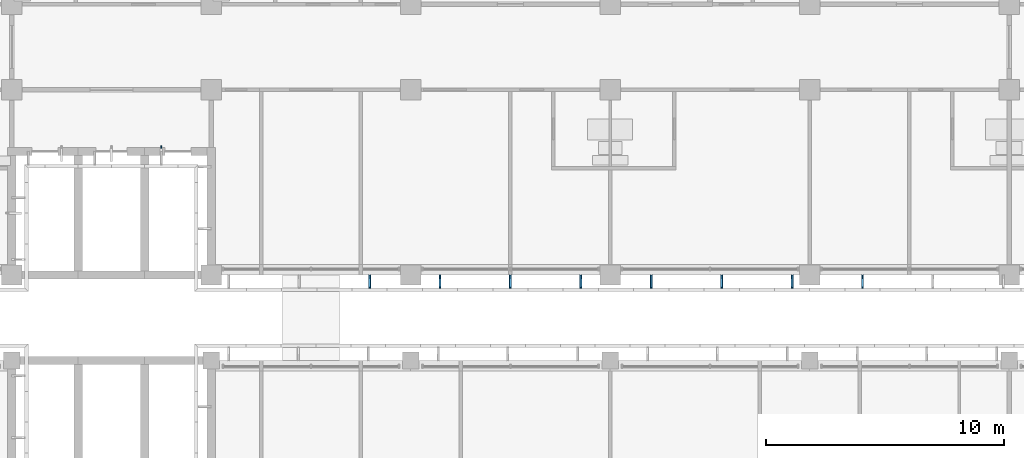
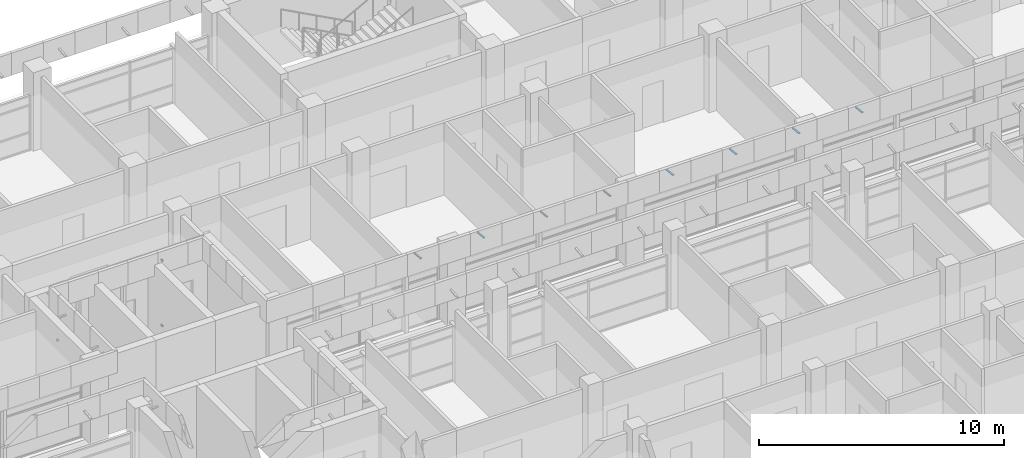
# One storey, part 54 of 74: 10 discrete accessories.
"""IFC4 building model written with IfcOpenShell, lengths in metres."""

from ifc_helpers import new_model, si_unit, direction, frame, origin, origin_2d, place, context, subcontext, project, spatial, rectangle, extrude, material, material_profile, profile_set, type_object, element, save


model = new_model("IFC4")

# Units and contexts
model_context = context("Model", 3, precision=1e-05, world=origin(), true_north=direction((0.0, 1.0)))
body_context = subcontext(model_context, "Body", "Model", "MODEL_VIEW")
ifc_project = project(units=[si_unit("LENGTHUNIT", "METRE"), si_unit("AREAUNIT", "SQUARE_METRE"), si_unit("VOLUMEUNIT", "CUBIC_METRE"), si_unit("PLANEANGLEUNIT", "RADIAN"), si_unit("MASSUNIT", "GRAM", prefix="KILO")], contexts=[model_context])

# Site, building, storey
site_placement = place(None, origin())
site = spatial("IfcSite", under=ifc_project, at=site_placement, CompositionType="ELEMENT")
building_placement = place(site_placement, origin())
building = spatial("IfcBuilding", under=site, at=building_placement, Name="Bougainvillea Quay General Hospital", CompositionType="ELEMENT")
storey_placement = place(building_placement, frame((0.0, 0.0, 21.0)))
storey = spatial("IfcBuildingStorey", under=building, at=storey_placement, Name="L04", CompositionType="ELEMENT", Elevation=21.0)

# Discrete accessories
ifc_material = material(Name="Stainless steel bracket, grade 316", Category="steel")
discrete_accessory_type_1 = type_object("IfcDiscreteAccessoryType", Name="Stainless steel fin arm 60x80", PredefinedType="BRACKET", material=ifc_material)
for number, where, z_axis, x_axis, name in (
    (1, (73.5, 145.7900390625, 0.0), (0.0, 0.0, 1.0), (0.0, -1.0, 0.0), "Fin arm V5A L04 04.1B"),
    (2, (73.5, 145.7900390625, 3.25), (0.0, 0.0, 1.0), (0.0, -1.0, 0.0), "Fin arm V5A L04 04.1T"),
):
    element("IfcDiscreteAccessory", number, at=place(storey_placement, frame(where, z_axis=z_axis, x_axis=x_axis)), inside=storey, type_object=discrete_accessory_type_1, Name=name, PredefinedType="BRACKET", context=body_context, shape_type="SweptSolid", body=[
        extrude(rectangle(XDim=0.1201171875, YDim=0.06005859375, at=origin_2d()), origin(), (0.0, 0.0, 1.0), 0.080078125),
    ])
ifc_material_profile = material_profile(ifc_material, rectangle(XDim=0.080078125, YDim=0.050048828125, at=origin_2d()))
ifc_profile_set = profile_set([ifc_material_profile], Name="Stainless steel bracket, grade 316")
discrete_accessory_type_2 = type_object("IfcDiscreteAccessoryType", Name="Stainless steel stand-off bracket 80x50", PredefinedType="BRACKET", material=ifc_profile_set)
for number, where, z_axis, x_axis, name in (
    (3, (82.2705078125, 140.39990234375, 3.840087890625), (0.0, -0.994134149227, 0.108154026004), (1.0, 0.0, 0.0), "Fascia bracket e0 145"),
    (4, (85.2353515625, 140.39990234375, 3.840087890625), (0.0, -0.994134149227, 0.108154026004), (1.0, 0.0, 0.0), "Fascia bracket e0 147"),
    (5, (88.199951171875, 140.39990234375, 3.840087890625), (0.0, -0.994134149227, 0.108154026004), (1.0, 0.0, 0.0), "Fascia bracket e0 149"),
    (6, (91.164794921875, 140.39990234375, 3.840087890625), (0.0, -0.994134149227, 0.108154026004), (1.0, 0.0, 0.0), "Fascia bracket e0 151"),
    (7, (94.12939453125, 140.39990234375, 3.840087890625), (0.0, -0.994134149227, 0.108154026004), (1.0, 0.0, 0.0), "Fascia bracket e0 153"),
    (8, (97.09423828125, 140.39990234375, 3.840087890625), (0.0, -0.994134149227, 0.108154026004), (1.0, 0.0, 0.0), "Fascia bracket e0 155"),
    (9, (100.058837890625, 140.39990234375, 3.840087890625), (0.0, -0.994134149227, 0.108154026004), (1.0, 0.0, 0.0), "Fascia bracket e0 157"),
    (10, (103.0234375, 140.39990234375, 3.840087890625), (0.0, -0.994134149227, 0.108154026004), (1.0, 0.0, 0.0), "Fascia bracket e0 159"),
):
    element("IfcDiscreteAccessory", number, at=place(storey_placement, frame(where, z_axis=z_axis, x_axis=x_axis)), inside=storey, type_object=discrete_accessory_type_2, Name=name, PredefinedType="BRACKET", context=body_context, shape_type="SweptSolid", body=[
        extrude(rectangle(XDim=0.080078125, YDim=0.050048828125, at=origin_2d()), origin(), (0.0, 0.0, 1.0), 0.552978515625),
    ])

save(model, "model.ifc")
